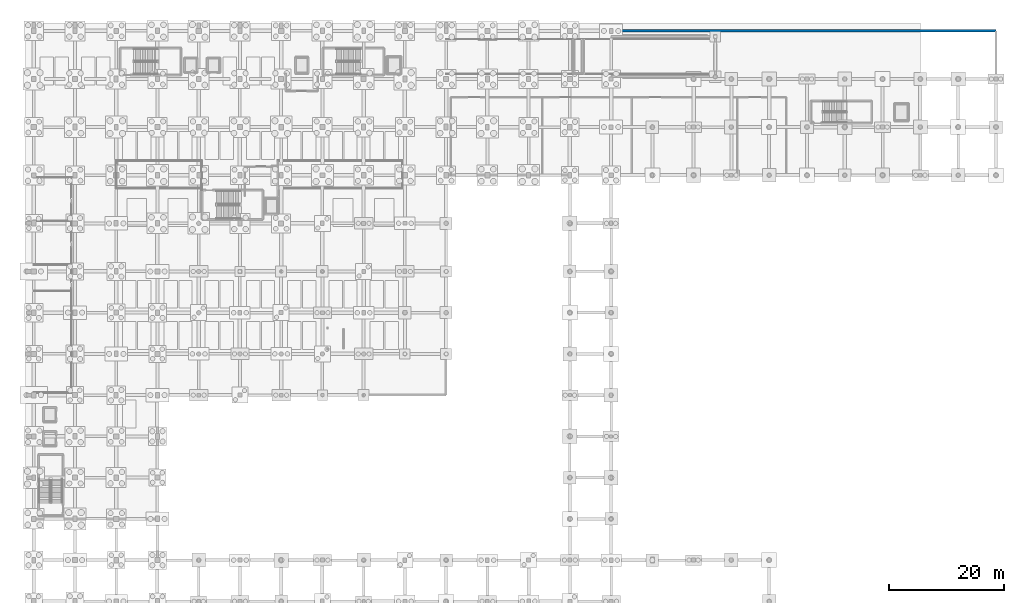
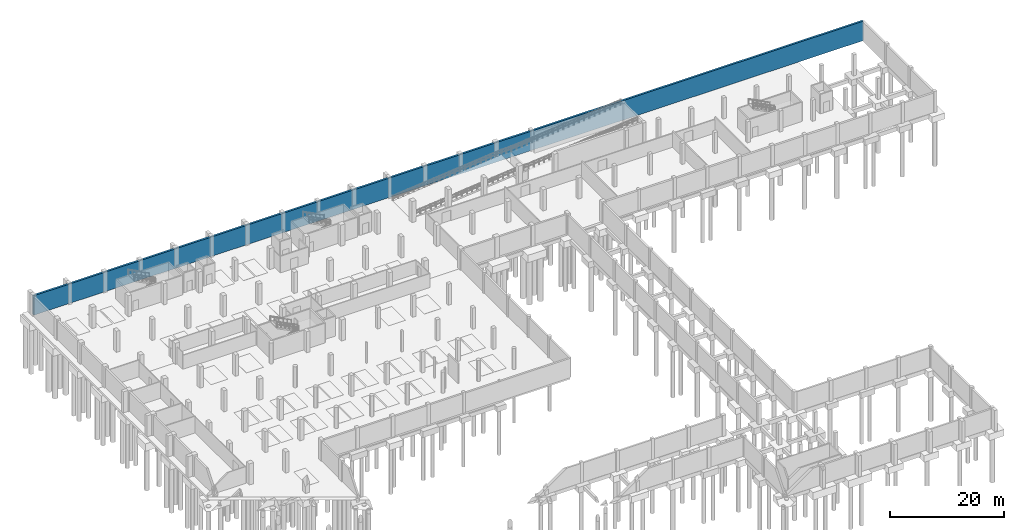
# One storey, part 25 of 35: 1 wall.
"""IFC4 building model written with IfcOpenShell, lengths in metres."""

from ifc_helpers import new_model, si_unit, direction, frame, frame_2d, origin, place, context, subcontext, project, spatial, rectangle, extrude, material, layer, layer_set, type_object, element, save


model = new_model("IFC4")

# Units and contexts
model_context = context("Model", 3, precision=1e-05, world=origin(), true_north=direction((0.0, 1.0)))
body_context = subcontext(model_context, "Body", "Model", "MODEL_VIEW")
ifc_project = project(units=[si_unit("LENGTHUNIT", "METRE"), si_unit("AREAUNIT", "SQUARE_METRE"), si_unit("VOLUMEUNIT", "CUBIC_METRE"), si_unit("PLANEANGLEUNIT", "RADIAN"), si_unit("MASSUNIT", "GRAM", prefix="KILO")], contexts=[model_context])

# Site, building, storey
site_placement = place(None, origin())
site = spatial("IfcSite", under=ifc_project, at=site_placement, CompositionType="ELEMENT")
building_placement = place(site_placement, origin())
building = spatial("IfcBuilding", under=site, at=building_placement, Name="Kalluvel Institute of Natural Sciences", CompositionType="ELEMENT")
storey_placement = place(building_placement, frame((0.0, 0.0, -4.5)))
storey = spatial("IfcBuildingStorey", under=building, at=storey_placement, Name="B1", CompositionType="ELEMENT", Elevation=-4.5)

# Wall
ifc_material = material(Name="Concrete M40", Category="concrete")
ifc_layer = layer(ifc_material, 0.39990234375)
ifc_layer_set = layer_set([ifc_layer], Name="Concrete M40")
wall_type = type_object("IfcWallType", Name="WL-RET-400", PredefinedType="USERDEFINED", material=ifc_layer_set)
wall_placement = place(storey_placement, frame((14.0, 128.0, 0.0), z_axis=(0.0, 0.0, 1.0), x_axis=(1.0, 0.0, 0.0)))
element("IfcWall", 1, at=wall_placement, inside=storey, type_object=wall_type, Name="Basement perimeter plinth retaining wall 1", ObjectType="RETAINING WALL", PredefinedType="USERDEFINED", context=body_context, shape_type="SweptSolid", body=[
    extrude(rectangle(XDim=168.0, YDim=0.39990234375, at=frame_2d((84.0, 0.0))), origin(), (0.0, 0.0, 1.0), 4.159912109375),
])

save(model, "model.ifc")
